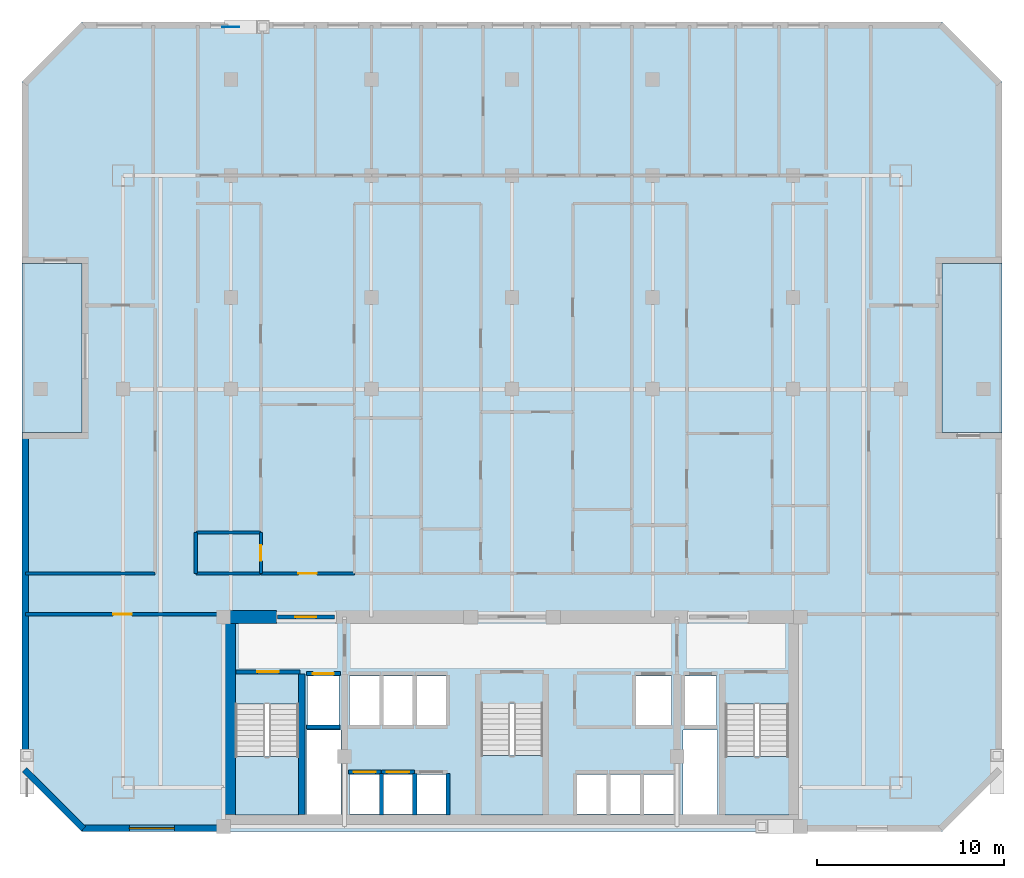
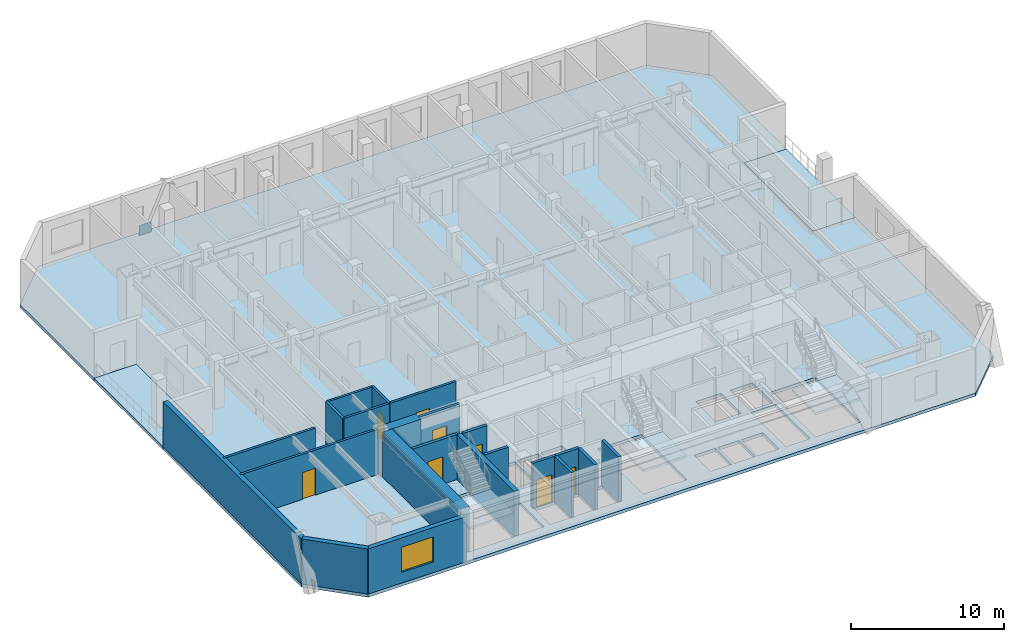
# One storey, part 2 of 10: 22 walls, 8 doors, 6 slabs, 1 plate, 1 window, 9 openings, 3 elements without a shape of their own.
"""IFC4 building model written with IfcOpenShell, lengths in metres."""

from ifc_helpers import new_model, si_unit, direction, frame, frame_2d, origin, origin_2d, place, context, subcontext, project, spatial, polyline, rectangle, outline, extrude, material, layer, layer_set, type_object, element, fill, aggregate, save


model = new_model("IFC4")

# Units and contexts
model_context = context("Model", 3, precision=1e-05, world=origin(), true_north=direction((0.0, 1.0)))
body_context = subcontext(model_context, "Body", "Model", "MODEL_VIEW")
ifc_project = project(units=[si_unit("LENGTHUNIT", "METRE"), si_unit("AREAUNIT", "SQUARE_METRE"), si_unit("VOLUMEUNIT", "CUBIC_METRE"), si_unit("PLANEANGLEUNIT", "RADIAN"), si_unit("MASSUNIT", "GRAM", prefix="KILO")], contexts=[model_context])

# Site, building, storey
site_placement = place(None, origin())
site = spatial("IfcSite", under=ifc_project, at=site_placement, CompositionType="ELEMENT")
building_placement = place(site_placement, origin())
building = spatial("IfcBuilding", under=site, at=building_placement, Name="Ventersveld Concourse Tower", CompositionType="ELEMENT")
storey_placement = place(building_placement, frame((0.0, 0.0, 123.39990234375)))
storey = spatial("IfcBuildingStorey", under=building, at=storey_placement, Name="L30", CompositionType="ELEMENT", Elevation=123.39990234375)

# Plate
ifc_material_1 = material(Name="Structural steel S355J2", Category="steel")
ifc_layer_1 = layer(ifc_material_1, 0.030029296875)
ifc_layer_set_1 = layer_set([ifc_layer_1], Name="Structural steel S355J2")
plate_type = type_object("IfcPlateType", Name="PL-CAP-30", PredefinedType="USERDEFINED", material=ifc_layer_set_1)
plate_placement = place(storey_placement, frame((13.75, 42.919921875, -0.099853515625), z_axis=(0.0, 0.0, 1.0), x_axis=(1.0, 0.0, 0.0)))
element("IfcPlate", 1, at=plate_placement, inside=storey, type_object=plate_type, Name="L30 Mega-Brace Gusset Node Plate M07-N", ObjectType="GUSSET_PLATE", PredefinedType="USERDEFINED", context=body_context, shape_type="SweptSolid", body=[
    extrude(rectangle(XDim=0.89990234375, YDim=0.030029296875, at=origin_2d()), origin(), (0.0, 0.0, 1.0), 0.89990234375),
])

# Slabs
ifc_material_2 = material(Name="Concrete C50/60", Category="concrete")
ifc_layer_2 = layer(ifc_material_2, 0.25)
ifc_layer_set_2 = layer_set([ifc_layer_2], Name="Concrete C50/60")
slab_type_1 = type_object("IfcSlabType", Name="SL-FLR-250", PredefinedType="FLOOR", material=ifc_layer_set_2)
slab_1_placement = place(storey_placement, frame((0.0, 0.0, -0.25)))
element("IfcSlab", 2, at=slab_1_placement, inside=storey, type_object=slab_type_1, Name="L30 Composite Floor Slab", PredefinedType="FLOOR", context=body_context, shape_type="SweptSolid", body=[
    extrude(outline(polyline([(5.800048828125, 0.0), (51.699951171875, 0.0), (54.89990234375, 3.199951171875), (54.89990234375, 21.300048828125), (51.699951171875, 21.300048828125), (51.699951171875, 30.300048828125), (54.89990234375, 30.300048828125), (54.89990234375, 40.0), (51.699951171875, 43.199951171875), (5.800048828125, 43.199951171875), (2.60009765625, 40.0), (2.60009765625, 30.300048828125), (5.800048828125, 30.300048828125), (5.800048828125, 21.300048828125), (2.60009765625, 21.300048828125), (2.60009765625, 3.199951171875), (5.800048828125, 0.0)]), holes=[polyline([(13.97998046875, 6.794921875), (13.97998046875, 0.89990234375), (17.3798828125, 0.89990234375), (17.3798828125, 6.794921875), (13.97998046875, 6.794921875)]), polyline([(40.1201171875, 6.794921875), (40.1201171875, 0.89990234375), (43.52001953125, 0.89990234375), (43.52001953125, 6.794921875), (40.1201171875, 6.794921875)]), polyline([(27.10009765625, 6.844970703125), (27.10009765625, 0.89990234375), (30.39990234375, 0.89990234375), (30.39990234375, 6.844970703125), (27.10009765625, 6.844970703125)]), polyline([(17.85009765625, 5.699951171875), (19.530029296875, 5.699951171875), (19.530029296875, 8.300048828125), (17.85009765625, 8.300048828125), (17.85009765625, 5.699951171875)]), polyline([(37.969970703125, 5.699951171875), (39.64990234375, 5.699951171875), (39.64990234375, 8.300048828125), (37.969970703125, 8.300048828125), (37.969970703125, 5.699951171875)]), polyline([(35.35009765625, 5.699951171875), (37.25, 5.699951171875), (37.25, 8.300048828125), (35.35009765625, 8.300048828125), (35.35009765625, 5.699951171875)]), polyline([(20.090087890625, 0.949951171875), (21.68994140625, 0.949951171875), (21.68994140625, 3.050048828125), (20.090087890625, 3.050048828125), (20.090087890625, 0.949951171875)]), polyline([(21.8701171875, 0.949951171875), (23.469970703125, 0.949951171875), (23.469970703125, 3.050048828125), (21.8701171875, 3.050048828125), (21.8701171875, 0.949951171875)]), polyline([(23.64990234375, 0.949951171875), (25.25, 0.949951171875), (25.25, 3.050048828125), (23.64990234375, 3.050048828125), (23.64990234375, 0.949951171875)]), polyline([(32.2099609375, 0.949951171875), (33.81005859375, 0.949951171875), (33.81005859375, 3.050048828125), (32.2099609375, 3.050048828125), (32.2099609375, 0.949951171875)]), polyline([(33.989990234375, 0.949951171875), (35.590087890625, 0.949951171875), (35.590087890625, 3.050048828125), (33.989990234375, 3.050048828125), (33.989990234375, 0.949951171875)]), polyline([(35.77001953125, 0.949951171875), (37.3701171875, 0.949951171875), (37.3701171875, 3.050048828125), (35.77001953125, 3.050048828125), (35.77001953125, 0.949951171875)]), polyline([(20.090087890625, 5.699951171875), (21.68994140625, 5.699951171875), (21.68994140625, 8.300048828125), (20.090087890625, 8.300048828125), (20.090087890625, 5.699951171875)]), polyline([(21.8701171875, 5.699951171875), (23.469970703125, 5.699951171875), (23.469970703125, 8.300048828125), (21.8701171875, 8.300048828125), (21.8701171875, 5.699951171875)]), polyline([(23.64990234375, 5.699951171875), (25.25, 5.699951171875), (25.25, 8.300048828125), (23.64990234375, 8.300048828125), (23.64990234375, 5.699951171875)]), polyline([(17.780029296875, 0.919921875), (19.6201171875, 0.919921875), (19.6201171875, 5.419921875), (17.780029296875, 5.419921875), (17.780029296875, 0.919921875)]), polyline([(37.8798828125, 0.919921875), (39.719970703125, 0.919921875), (39.719970703125, 5.419921875), (37.8798828125, 5.419921875), (37.8798828125, 0.919921875)])]), origin(), (0.0, 0.0, 1.0), 0.25),
])
slab_2_placement = place(storey_placement, frame((0.0, 0.0, -0.25)))
element("IfcSlab", 3, at=slab_2_placement, inside=storey, type_object=slab_type_1, Name="L30 Outdoor Terrace Slab NOTCH-W", PredefinedType="FLOOR", context=body_context, shape_type="SweptSolid", body=[
    extrude(outline(polyline([(2.60009765625, 21.300048828125), (5.800048828125, 21.300048828125), (5.800048828125, 30.300048828125), (2.60009765625, 30.300048828125), (2.60009765625, 21.300048828125)])), origin(), (0.0, 0.0, 1.0), 0.25),
])
slab_3_placement = place(storey_placement, frame((0.0, 0.0, -0.25)))
element("IfcSlab", 4, at=slab_3_placement, inside=storey, type_object=slab_type_1, Name="L30 Outdoor Terrace Slab NOTCH-E", PredefinedType="FLOOR", context=body_context, shape_type="SweptSolid", body=[
    extrude(outline(polyline([(51.699951171875, 21.300048828125), (54.89990234375, 21.300048828125), (54.89990234375, 30.300048828125), (51.699951171875, 30.300048828125), (51.699951171875, 21.300048828125)])), origin(), (0.0, 0.0, 1.0), 0.25),
])

# Stair, slab
stair_type_1 = type_object("IfcStairType", Name="ST-DOG-160", PredefinedType="HALF_TURN_STAIR", material=ifc_material_2)
stair_1_placement = place(storey_placement, origin())
stair_1 = element("IfcStair", 5, at=stair_1_placement, inside=storey, type_object=stair_type_1, Name="L30 Protected Tower Escape Stair ST-01", PredefinedType="HALF_TURN_STAIR")
ifc_layer_3 = layer(ifc_material_2, 0.199951171875)
ifc_layer_set_3 = layer_set([ifc_layer_3], Name="Concrete C50/60")
slab_type_2 = type_object("IfcSlabType", Name="SL-LND-200", PredefinedType="LANDING", material=ifc_layer_set_3)
slab_4_placement = place(storey_placement, frame((0.0, 0.0, 1.72509765625)))
slab_4 = element("IfcSlab", 6, at=slab_4_placement, type_object=slab_type_2, Name="ST-01 landing 1", PredefinedType="LANDING", context=body_context, shape_type="SweptSolid", body=[
    extrude(outline(polyline([(13.97998046875, 4.0), (13.97998046875, 0.89990234375), (17.3798828125, 0.89990234375), (17.3798828125, 4.0), (13.97998046875, 4.0)])), origin(), (0.0, 0.0, 1.0), 0.199951171875),
])
aggregate(stair_1, [slab_4])

stair_2_placement = place(storey_placement, origin())
stair_2 = element("IfcStair", 7, at=stair_2_placement, inside=storey, type_object=stair_type_1, Name="L30 Protected Tower Escape Stair ST-02", PredefinedType="HALF_TURN_STAIR")
slab_5_placement = place(storey_placement, frame((0.0, 0.0, 1.72509765625)))
slab_5 = element("IfcSlab", 8, at=slab_5_placement, type_object=slab_type_2, Name="ST-02 landing 1", PredefinedType="LANDING", context=body_context, shape_type="SweptSolid", body=[
    extrude(outline(polyline([(40.1201171875, 4.0), (40.1201171875, 0.89990234375), (43.52001953125, 0.89990234375), (43.52001953125, 4.0), (40.1201171875, 4.0)])), origin(), (0.0, 0.0, 1.0), 0.199951171875),
])
aggregate(stair_2, [slab_5])

stair_type_2 = type_object("IfcStairType", Name="ST-DOG-155", PredefinedType="HALF_TURN_STAIR", material=ifc_material_2)
stair_3_placement = place(storey_placement, origin())
stair_3 = element("IfcStair", 9, at=stair_3_placement, inside=storey, type_object=stair_type_2, Name="L30 Protected Central Core Escape Stair ST-03", PredefinedType="HALF_TURN_STAIR")
slab_6_placement = place(storey_placement, frame((0.0, 0.0, 1.72509765625)))
slab_6 = element("IfcSlab", 10, at=slab_6_placement, type_object=slab_type_2, Name="ST-03 landing 1", PredefinedType="LANDING", context=body_context, shape_type="SweptSolid", body=[
    extrude(outline(polyline([(27.10009765625, 4.050048828125), (27.10009765625, 0.89990234375), (30.39990234375, 0.89990234375), (30.39990234375, 4.050048828125), (27.10009765625, 4.050048828125)])), origin(), (0.0, 0.0, 1.0), 0.199951171875),
])
aggregate(stair_3, [slab_6])

# Walls
ifc_material_3 = material(Name="Concrete C60/75", Category="concrete")
ifc_layer_4 = layer(ifc_material_3, 0.35009765625)
ifc_layer_set_4 = layer_set([ifc_layer_4], Name="Concrete C60/75")
wall_type_1 = type_object("IfcWallType", Name="WL-CORE-350L", PredefinedType="SHEAR", material=ifc_layer_set_4)
wall_1_placement = place(storey_placement, frame((17.5400390625, 0.919921875, 0.0), z_axis=(0.0, 0.0, 1.0), x_axis=(0.0, 1.0, 0.0)))
element("IfcWall", 11, at=wall_1_placement, inside=storey, type_object=wall_type_1, Name="L30 Core Internal Shear Web W-ST1-E", PredefinedType="SHEAR", context=body_context, shape_type="SweptSolid", body=[
    extrude(rectangle(XDim=7.5, YDim=0.35009765625, at=frame_2d((3.75, 0.0))), origin(), (0.0, 0.0, 1.0), 3.60009765625),
])
ifc_layer_5 = layer(ifc_material_3, 0.699951171875)
ifc_layer_set_5 = layer_set([ifc_layer_5], Name="Concrete C60/75")
wall_type_2 = type_object("IfcWallType", Name="WL-CORE-700", PredefinedType="SHEAR", material=ifc_layer_set_5)
wall_2_placement = place(storey_placement, frame((13.64990234375, 0.919921875, 0.0), z_axis=(0.0, 0.0, 1.0), x_axis=(0.0, 1.0, 0.0)))
element("IfcWall", 12, at=wall_2_placement, inside=storey, type_object=wall_type_2, Name="L30 Rear Core West Shear Wall", PredefinedType="SHEAR", context=body_context, shape_type="SweptSolid", body=[
    extrude(rectangle(XDim=10.530029296875, YDim=0.699951171875, at=frame_2d((5.26513671875, 0.0))), origin(), (0.0, 0.0, 1.0), 3.60009765625),
])
wall_3_placement = place(storey_placement, frame((13.25, 11.449951171875, 0.0), z_axis=(0.0, 0.0, 1.0), x_axis=(1.0, 0.0, 0.0)))
element("IfcWall", 13, at=wall_3_placement, inside=storey, type_object=wall_type_2, Name="L30 Rear Core North Shear Wall NW", PredefinedType="SHEAR", context=body_context, shape_type="SweptSolid", body=[
    extrude(rectangle(XDim=2.949951171875, YDim=0.699951171875, at=frame_2d((1.47509765625, 0.0))), origin(), (0.0, 0.0, 1.0), 3.60009765625),
])

# Wall, opening, door
ifc_material_4 = material(Name="Fire-rated autoclaved aerated masonry blockwork", Category="masonry")
ifc_layer_6 = layer(ifc_material_4, 0.179931640625)
ifc_layer_set_6 = layer_set([ifc_layer_6], Name="Fire-rated autoclaved aerated masonry blockwork")
wall_type_3 = type_object("IfcWallType", Name="WL-CORR-180", PredefinedType="PARTITIONING", material=ifc_layer_set_6)
wall_4_placement = place(storey_placement, frame((2.81005859375, 11.60009765625, 0.0), z_axis=(0.0, 0.0, 1.0), x_axis=(1.0, 0.0, 0.0)))
wall_4 = element("IfcWall", 14, at=wall_4_placement, inside=storey, type_object=wall_type_3, Name="L30 Interior Partition SP-L30-SW-GAL-SP-L30-COR", PredefinedType="PARTITIONING", context=body_context, shape_type="SweptSolid", body=[
    extrude(rectangle(XDim=10.3349609375, YDim=0.179931640625, at=frame_2d((5.16748046875, 0.0))), origin(), (0.0, 0.0, 1.0), 3.60009765625),
])
opening_1_placement = place(wall_4_placement, frame((4.66748046875, 0.0, 0.0)))
opening_1 = element("IfcOpeningElement", 15, at=opening_1_placement, cuts=wall_4, Name="Opening FD3", PredefinedType="OPENING", context=body_context, shape_type="SweptSolid", body=[
    extrude(rectangle(XDim=1.0, YDim=2.14990234375, at=frame_2d((0.5, 1.074951171875))), frame((0.0, 0.10009765625, 0.0), z_axis=(0.0, -1.0, 0.0), x_axis=(1.0, 0.0, 0.0)), (0.0, 0.0, 1.0), 0.199951171875),
])
ifc_material_5 = material(Name="Solid-core hardwood veneer timber", Category="wood")
door_type_1 = type_object("IfcDoorType", Name="DR-FLAT-100", OperationType="NOTDEFINED", PredefinedType="DOOR", material=ifc_material_5)
door_1_placement = place(opening_1_placement, origin())
door_1 = element("IfcDoor", 16, at=door_1_placement, inside=storey, type_object=door_type_1, Name="L30 Interior Door SP-L30-SW-GAL to SP-L30-COR (D-L30-1491)", OperationType="SINGLE_SWING_LEFT", OverallHeight=2.14990234375, OverallWidth=1.0, PredefinedType="DOOR", context=body_context, shape_type="SweptSolid", body=[
    extrude(rectangle(XDim=1.0, YDim=2.14990234375, at=frame_2d((0.5, 1.074951171875))), frame((0.0, 0.02490234375, 0.0), z_axis=(0.0, -1.0, 0.0), x_axis=(1.0, 0.0, 0.0)), (0.0, 0.0, 1.0), 0.050048828125),
])
fill(opening_1, door_1)

# Wall
wall_5_placement = place(storey_placement, frame((2.81005859375, 13.77001953125, 0.0), z_axis=(0.0, 0.0, 1.0), x_axis=(1.0, 0.0, 0.0)))
element("IfcWall", 17, at=wall_5_placement, inside=storey, type_object=wall_type_3, Name="L30 Interior Partition SP-L30-COR-SP-L30-NWLNG1", PredefinedType="PARTITIONING", context=body_context, shape_type="SweptSolid", body=[
    extrude(rectangle(XDim=6.905029296875, YDim=0.179931640625, at=frame_2d((3.45263671875, 0.0))), origin(), (0.0, 0.0, 1.0), 3.60009765625),
])

# Wall, opening, door
wall_6_placement = place(storey_placement, frame((15.352783203125, 13.77001953125, 0.0), z_axis=(0.0, 0.0, 1.0), x_axis=(1.0, 0.0, 0.0)))
wall_6 = element("IfcWall", 18, at=wall_6_placement, inside=storey, type_object=wall_type_3, Name="L30 Interior Partition SP-L30-COR-SP-L30-30N1-FOY", PredefinedType="PARTITIONING", context=body_context, shape_type="SweptSolid", body=[
    extrude(rectangle(XDim=4.990234375, YDim=0.179931640625, at=frame_2d((2.4951171875, 0.0))), origin(), (0.0, 0.0, 1.0), 3.60009765625),
])
opening_2_placement = place(wall_6_placement, frame((1.9951171875, 0.0, 0.0)))
opening_2 = element("IfcOpeningElement", 19, at=opening_2_placement, cuts=wall_6, Name="Opening FD3", PredefinedType="OPENING", context=body_context, shape_type="SweptSolid", body=[
    extrude(rectangle(XDim=1.0, YDim=2.14990234375, at=frame_2d((0.5, 1.074951171875))), frame((0.0, 0.10009765625, 0.0), z_axis=(0.0, -1.0, 0.0), x_axis=(1.0, 0.0, 0.0)), (0.0, 0.0, 1.0), 0.199951171875),
])
door_2_placement = place(opening_2_placement, origin())
door_2 = element("IfcDoor", 20, at=door_2_placement, inside=storey, type_object=door_type_1, Name="L30 Interior Door SP-L30-COR to SP-L30-30N1-FOY (FD-L30-1495)", OperationType="SINGLE_SWING_LEFT", OverallHeight=2.14990234375, OverallWidth=1.0, PredefinedType="DOOR", context=body_context, shape_type="SweptSolid", body=[
    extrude(rectangle(XDim=1.0, YDim=2.14990234375, at=frame_2d((0.5, 1.074951171875))), frame((0.0, 0.02490234375, 0.0), z_axis=(0.0, -1.0, 0.0), x_axis=(1.0, 0.0, 0.0)), (0.0, 0.0, 1.0), 0.050048828125),
])
fill(opening_2, door_2)

# Walls
wall_7_placement = place(storey_placement, frame((11.885009765625, 13.77001953125, 0.0), z_axis=(0.0, 0.0, 1.0), x_axis=(1.0, 0.0, 0.0)))
element("IfcWall", 21, at=wall_7_placement, inside=storey, type_object=wall_type_3, Name="L30 Interior Partition SP-L30-COR-SP-L30-30N1-BATH", PredefinedType="PARTITIONING", context=body_context, shape_type="SweptSolid", body=[
    extrude(rectangle(XDim=3.43798828125, YDim=0.179931640625, at=frame_2d((1.718994140625, 0.0))), origin(), (0.0, 0.0, 1.0), 3.60009765625),
])
wall_8_placement = place(storey_placement, frame((11.889892578125, 13.764892578125, 0.0), z_axis=(0.0, 0.0, 1.0), x_axis=(0.0, 1.0, 0.0)))
element("IfcWall", 22, at=wall_8_placement, inside=storey, type_object=wall_type_3, Name="L30 Interior Partition SP-L30-COR-SP-L30-30N1-BATH", PredefinedType="PARTITIONING", context=body_context, shape_type="SweptSolid", body=[
    extrude(rectangle(XDim=2.197509765625, YDim=0.179931640625, at=frame_2d((1.0986328125, 0.0))), origin(), (0.0, 0.0, 1.0), 3.60009765625),
])
ifc_layer_7 = layer(ifc_material_4, 0.219970703125)
ifc_layer_set_7 = layer_set([ifc_layer_7], Name="Fire-rated autoclaved aerated masonry blockwork")
wall_type_4 = type_object("IfcWallType", Name="WL-HOIST-220", PredefinedType="SOLIDWALL", material=ifc_layer_set_7)
wall_9_placement = place(storey_placement, frame((17.800048828125, 5.590087890625, 0.0), z_axis=(0.0, 0.0, 1.0), x_axis=(1.0, 0.0, 0.0)))
element("IfcWall", 23, at=wall_9_placement, inside=storey, type_object=wall_type_4, Name="L30 Lift Hoistway Back Wall FFL-01", PredefinedType="SOLIDWALL", context=body_context, shape_type="SweptSolid", body=[
    extrude(rectangle(XDim=1.780029296875, YDim=0.219970703125, at=frame_2d((0.89013671875, 0.0))), origin(), (0.0, 0.0, 1.0), 3.60009765625),
])

# Wall, opening, door
wall_10_placement = place(storey_placement, frame((17.780029296875, 8.429931640625, 0.0), z_axis=(0.0, 0.0, 1.0), x_axis=(1.0, 0.0, 0.0)))
wall_10 = element("IfcWall", 24, at=wall_10_placement, inside=storey, type_object=wall_type_4, Name="L30 Lift Hoistway Front Wall FFL-01", PredefinedType="SOLIDWALL", context=body_context, shape_type="SweptSolid", body=[
    extrude(rectangle(XDim=1.820068359375, YDim=0.219970703125, at=frame_2d((0.91015625, 0.0))), origin(), (0.0, 0.0, 1.0), 3.60009765625),
])
opening_3_placement = place(wall_10_placement, frame((0.35009765625, 0.0, 0.0)))
opening_3 = element("IfcOpeningElement", 25, at=opening_3_placement, cuts=wall_10, Name="Opening LD1", PredefinedType="OPENING", context=body_context, shape_type="SweptSolid", body=[
    extrude(rectangle(XDim=1.1201171875, YDim=2.25, at=frame_2d((0.56005859375, 1.125))), frame((0.0, 0.1201171875, 0.0), z_axis=(0.0, -1.0, 0.0), x_axis=(1.0, 0.0, 0.0)), (0.0, 0.0, 1.0), 0.239990234375),
])
ifc_material_6 = material(Name="Brushed stainless steel 316", Category="steel")
door_type_2 = type_object("IfcDoorType", Name="LD-FF-112", OperationType="SLIDING_TO_LEFT", PredefinedType="DOOR", material=ifc_material_6)
door_3_placement = place(opening_3_placement, origin())
door_3 = element("IfcDoor", 26, at=door_3_placement, inside=storey, type_object=door_type_2, Name="L30 Lift landing door FFL-01 (LD-L30-FFL-01)", OperationType="SLIDING_TO_LEFT", OverallHeight=2.25, OverallWidth=1.1201171875, PredefinedType="DOOR", context=body_context, shape_type="SweptSolid", body=[
    extrude(rectangle(XDim=1.1201171875, YDim=2.25, at=frame_2d((0.56005859375, 1.125))), frame((0.0, 0.02490234375, 0.0), z_axis=(0.0, -1.0, 0.0), x_axis=(1.0, 0.0, 0.0)), (0.0, 0.0, 1.0), 0.050048828125),
])
fill(opening_3, door_3)

# Wall
wall_11_placement = place(storey_placement, frame((21.780029296875, 0.89990234375, 0.0), z_axis=(0.0, 0.0, 1.0), x_axis=(0.0, 1.0, 0.0)))
element("IfcWall", 27, at=wall_11_placement, inside=storey, type_object=wall_type_4, Name="L30 Lift Hoistway Side Wall PL-01E", PredefinedType="SOLIDWALL", context=body_context, shape_type="SweptSolid", body=[
    extrude(rectangle(XDim=2.2001953125, YDim=0.219970703125, at=frame_2d((1.10009765625, 0.0))), origin(), (0.0, 0.0, 1.0), 3.60009765625),
])

# Wall, opening, door
wall_12_placement = place(storey_placement, frame((20.02001953125, 3.179931640625, 0.0), z_axis=(0.0, 0.0, 1.0), x_axis=(1.0, 0.0, 0.0)))
wall_12 = element("IfcWall", 28, at=wall_12_placement, inside=storey, type_object=wall_type_4, Name="L30 Lift Hoistway Front Wall PL-01", PredefinedType="SOLIDWALL", context=body_context, shape_type="SweptSolid", body=[
    extrude(rectangle(XDim=1.739990234375, YDim=0.219970703125, at=frame_2d((0.8701171875, 0.0))), origin(), (0.0, 0.0, 1.0), 3.60009765625),
])
opening_4_placement = place(wall_12_placement, frame((0.280029296875, 0.0, 0.0)))
opening_4 = element("IfcOpeningElement", 29, at=opening_4_placement, cuts=wall_12, Name="Opening LD2", PredefinedType="OPENING", context=body_context, shape_type="SweptSolid", body=[
    extrude(rectangle(XDim=1.179931640625, YDim=2.199951171875, at=frame_2d((0.58984375, 1.10009765625))), frame((0.0, 0.1201171875, 0.0), z_axis=(0.0, -1.0, 0.0), x_axis=(1.0, 0.0, 0.0)), (0.0, 0.0, 1.0), 0.239990234375),
])
door_type_3 = type_object("IfcDoorType", Name="LD-PAX-118", OperationType="SLIDING_TO_LEFT", PredefinedType="DOOR", material=ifc_material_6)
door_4_placement = place(opening_4_placement, origin())
door_4 = element("IfcDoor", 30, at=door_4_placement, inside=storey, type_object=door_type_3, Name="L30 Lift landing door PL-01 (LD-L30-PL-01)", OperationType="SLIDING_TO_RIGHT", OverallHeight=2.199951171875, OverallWidth=1.179931640625, PredefinedType="DOOR", context=body_context, shape_type="SweptSolid", body=[
    extrude(rectangle(XDim=1.179931640625, YDim=2.199951171875, at=frame_2d((0.58984375, 1.10009765625))), frame((0.0, 0.02490234375, 0.0), z_axis=(0.0, -1.0, 0.0), x_axis=(1.0, 0.0, 0.0)), (0.0, 0.0, 1.0), 0.050048828125),
])
fill(opening_4, door_4)

# Wall
wall_13_placement = place(storey_placement, frame((23.56005859375, 0.89990234375, 0.0), z_axis=(0.0, 0.0, 1.0), x_axis=(0.0, 1.0, 0.0)))
element("IfcWall", 31, at=wall_13_placement, inside=storey, type_object=wall_type_4, Name="L30 Lift Hoistway Side Wall PL-02E", PredefinedType="SOLIDWALL", context=body_context, shape_type="SweptSolid", body=[
    extrude(rectangle(XDim=2.2001953125, YDim=0.219970703125, at=frame_2d((1.10009765625, 0.0))), origin(), (0.0, 0.0, 1.0), 3.60009765625),
])

# Wall, opening, door
wall_14_placement = place(storey_placement, frame((21.800048828125, 3.179931640625, 0.0), z_axis=(0.0, 0.0, 1.0), x_axis=(1.0, 0.0, 0.0)))
wall_14 = element("IfcWall", 32, at=wall_14_placement, inside=storey, type_object=wall_type_4, Name="L30 Lift Hoistway Front Wall PL-02", PredefinedType="SOLIDWALL", context=body_context, shape_type="SweptSolid", body=[
    extrude(rectangle(XDim=1.739990234375, YDim=0.219970703125, at=frame_2d((0.8701171875, 0.0))), origin(), (0.0, 0.0, 1.0), 3.60009765625),
])
opening_5_placement = place(wall_14_placement, frame((0.280029296875, 0.0, 0.0)))
opening_5 = element("IfcOpeningElement", 33, at=opening_5_placement, cuts=wall_14, Name="Opening LD2", PredefinedType="OPENING", context=body_context, shape_type="SweptSolid", body=[
    extrude(rectangle(XDim=1.179931640625, YDim=2.199951171875, at=frame_2d((0.58984375, 1.10009765625))), frame((0.0, 0.1201171875, 0.0), z_axis=(0.0, -1.0, 0.0), x_axis=(1.0, 0.0, 0.0)), (0.0, 0.0, 1.0), 0.239990234375),
])
door_5_placement = place(opening_5_placement, origin())
door_5 = element("IfcDoor", 34, at=door_5_placement, inside=storey, type_object=door_type_3, Name="L30 Lift landing door PL-02 (LD-L30-PL-02)", OperationType="SLIDING_TO_LEFT", OverallHeight=2.199951171875, OverallWidth=1.179931640625, PredefinedType="DOOR", context=body_context, shape_type="SweptSolid", body=[
    extrude(rectangle(XDim=1.179931640625, YDim=2.199951171875, at=frame_2d((0.58984375, 1.10009765625))), frame((0.0, 0.02490234375, 0.0), z_axis=(0.0, -1.0, 0.0), x_axis=(1.0, 0.0, 0.0)), (0.0, 0.0, 1.0), 0.050048828125),
])
fill(opening_5, door_5)

# Wall
wall_15_placement = place(storey_placement, frame((25.340087890625, 0.89990234375, 0.0), z_axis=(0.0, 0.0, 1.0), x_axis=(0.0, 1.0, 0.0)))
element("IfcWall", 35, at=wall_15_placement, inside=storey, type_object=wall_type_4, Name="L30 Lift Hoistway Side Wall PL-03E", PredefinedType="SOLIDWALL", context=body_context, shape_type="SweptSolid", body=[
    extrude(rectangle(XDim=2.2001953125, YDim=0.219970703125, at=frame_2d((1.10009765625, 0.0))), origin(), (0.0, 0.0, 1.0), 3.60009765625),
])

# Wall, opening, door
wall_16_placement = place(storey_placement, frame((14.0400390625, 8.52001953125, 0.0), z_axis=(0.0, 0.0, 1.0), x_axis=(1.0, 0.0, 0.0)))
wall_16 = element("IfcWall", 36, at=wall_16_placement, inside=storey, type_object=wall_type_4, Name="L30 Escape Stair ST01 Fire Wall", PredefinedType="SOLIDWALL", context=body_context, shape_type="SweptSolid", body=[
    extrude(rectangle(XDim=3.39990234375, YDim=0.219970703125, at=frame_2d((1.699951171875, 0.0))), origin(), (0.0, 0.0, 1.0), 3.60009765625),
])
opening_6_placement = place(wall_16_placement, frame((1.125, 0.0, 0.0)))
opening_6 = element("IfcOpeningElement", 37, at=opening_6_placement, cuts=wall_16, Name="Opening FD1", PredefinedType="OPENING", context=body_context, shape_type="SweptSolid", body=[
    extrude(rectangle(XDim=1.14990234375, YDim=2.199951171875, at=frame_2d((0.574951171875, 1.10009765625))), frame((0.0, 0.1201171875, 0.0), z_axis=(0.0, -1.0, 0.0), x_axis=(1.0, 0.0, 0.0)), (0.0, 0.0, 1.0), 0.239990234375),
])
ifc_material_7 = material(Name="Galvanised painted steel", Category="steel")
door_type_4 = type_object("IfcDoorType", Name="DR-STAIR-115", OperationType="NOTDEFINED", PredefinedType="DOOR", material=ifc_material_7)
door_6_placement = place(opening_6_placement, origin())
door_6 = element("IfcDoor", 38, at=door_6_placement, inside=storey, type_object=door_type_4, Name="L30 Escape Stair Door ST01 (SD-L30-1482)", OperationType="SINGLE_SWING_LEFT", OverallHeight=2.199951171875, OverallWidth=1.14990234375, PredefinedType="DOOR", context=body_context, shape_type="SweptSolid", body=[
    extrude(rectangle(XDim=1.14990234375, YDim=2.199951171875, at=frame_2d((0.574951171875, 1.10009765625))), frame((0.0, 0.02490234375, 0.0), z_axis=(0.0, -1.0, 0.0), x_axis=(1.0, 0.0, 0.0)), (0.0, 0.0, 1.0), 0.050048828125),
])
fill(opening_6, door_6)

wall_17_placement = place(storey_placement, frame((16.22998046875, 11.449951171875, 0.0), z_axis=(0.0, 0.0, 1.0), x_axis=(1.0, 0.0, 0.0)))
wall_17 = element("IfcWall", 39, at=wall_17_placement, inside=storey, type_object=wall_type_4, Name="L30 Core North Fire Portal FFLW-OUT", PredefinedType="SOLIDWALL", context=body_context, shape_type="SweptSolid", body=[
    extrude(rectangle(XDim=3.0400390625, YDim=0.219970703125, at=frame_2d((1.52001953125, 0.0))), origin(), (0.0, 0.0, 1.0), 3.60009765625),
])
opening_7_placement = place(wall_17_placement, frame((0.969970703125, 0.0, 0.0)))
opening_7 = element("IfcOpeningElement", 40, at=opening_7_placement, cuts=wall_17, Name="Opening FD2", PredefinedType="OPENING", context=body_context, shape_type="SweptSolid", body=[
    extrude(rectangle(XDim=1.10009765625, YDim=2.199951171875, at=frame_2d((0.550048828125, 1.10009765625))), frame((0.0, 0.1201171875, 0.0), z_axis=(0.0, -1.0, 0.0), x_axis=(1.0, 0.0, 0.0)), (0.0, 0.0, 1.0), 0.239990234375),
])
door_type_5 = type_object("IfcDoorType", Name="DR-FFL-110", OperationType="NOTDEFINED", PredefinedType="DOOR", material=ifc_material_7)
door_7_placement = place(opening_7_placement, origin())
door_7 = element("IfcDoor", 41, at=door_7_placement, inside=storey, type_object=door_type_5, Name="L30 Core Lobby Fire Door FFLW-OUT (FD-L30-1487)", OperationType="SINGLE_SWING_RIGHT", OverallHeight=2.199951171875, OverallWidth=1.10009765625, PredefinedType="DOOR", context=body_context, shape_type="SweptSolid", body=[
    extrude(rectangle(XDim=1.10009765625, YDim=2.199951171875, at=frame_2d((0.550048828125, 1.10009765625))), frame((0.0, 0.02490234375, 0.0), z_axis=(0.0, -1.0, 0.0), x_axis=(1.0, 0.0, 0.0)), (0.0, 0.0, 1.0), 0.050048828125),
])
fill(opening_7, door_7)

# Wall, opening, window
ifc_material_8 = material(Name="Precast concrete C45/55", Category="concrete")
ifc_layer_8 = layer(ifc_material_8, 0.35009765625)
ifc_layer_set_8 = layer_set([ifc_layer_8], Name="Precast concrete C45/55")
wall_type_5 = type_object("IfcWallType", Name="WL-PREC-350", PredefinedType="SOLIDWALL", material=ifc_layer_set_8)
wall_18_placement = place(storey_placement, frame((5.840087890625, 0.179931640625, 0.0), z_axis=(0.0, 0.0, 1.0), x_axis=(1.0, 0.0, 0.0)))
wall_18 = element("IfcWall", 42, at=wall_18_placement, inside=storey, type_object=wall_type_5, Name="L30 South-West Flank Precast Wall", PredefinedType="SOLIDWALL", context=body_context, shape_type="SweptSolid", body=[
    extrude(rectangle(XDim=7.409912109375, YDim=0.35009765625, at=frame_2d((3.705078125, 0.0))), origin(), (0.0, 0.0, 1.0), 3.60009765625),
])
opening_8_placement = place(wall_18_placement, frame((2.5048828125, 0.0, 0.85009765625)))
opening_8 = element("IfcOpeningElement", 43, at=opening_8_placement, cuts=wall_18, Name="Opening W5", PredefinedType="OPENING", context=body_context, shape_type="SweptSolid", body=[
    extrude(rectangle(XDim=2.39990234375, YDim=2.0, at=frame_2d((1.199951171875, 1.0))), frame((0.0, 0.18505859375, 0.0), z_axis=(0.0, -1.0, 0.0), x_axis=(1.0, 0.0, 0.0)), (0.0, 0.0, 1.0), 0.3701171875),
])
ifc_material_9 = material(Name="Tempered acoustic Low-E IGU", Category="glass")
window_type = type_object("IfcWindowType", Name="WIN-240x210", PartitioningType="SINGLE_PANEL", PredefinedType="WINDOW", material=ifc_material_9)
window_placement = place(opening_8_placement, origin())
window = element("IfcWindow", 44, at=window_placement, inside=storey, type_object=window_type, Name="L30 Punched Low-E Window W-0377", OverallHeight=2.0, OverallWidth=2.39990234375, PartitioningType="SINGLE_PANEL", PredefinedType="WINDOW", context=body_context, shape_type="SweptSolid", body=[
    extrude(rectangle(XDim=2.39990234375, YDim=2.0, at=frame_2d((1.199951171875, 1.0))), frame((0.0, 0.030029296875, 0.0), z_axis=(0.0, -1.0, 0.0), x_axis=(1.0, 0.0, 0.0)), (0.0, 0.0, 1.0), 0.06005859375),
])
fill(opening_8, window)

# Walls
wall_19_placement = place(storey_placement, frame((2.77490234375, 21.260009765625, 0.0), z_axis=(0.0, 0.0, 1.0), x_axis=(0.0, -1.0, 0.0)))
element("IfcWall", 45, at=wall_19_placement, inside=storey, type_object=wall_type_5, Name="L30 Highveld Precast Facade Wall E15", PredefinedType="SOLIDWALL", context=body_context, shape_type="SweptSolid", body=[
    extrude(rectangle(XDim=18.02001953125, YDim=0.35009765625, at=frame_2d((9.010009765625, 0.0))), origin(), (0.0, 0.0, 1.0), 3.60009765625),
])
wall_20_placement = place(storey_placement, frame((2.751953125, 3.29541015625, 0.0), z_axis=(0.0, 0.0, 1.0), x_axis=(0.707134240044, -0.707079321262, 0.0)))
element("IfcWall", 46, at=wall_20_placement, inside=storey, type_object=wall_type_5, Name="L30 Highveld Precast Facade Wall E16", PredefinedType="SOLIDWALL", context=body_context, shape_type="SweptSolid", body=[
    extrude(rectangle(XDim=4.445556640625, YDim=0.35009765625, at=frame_2d((2.22265625, 0.0))), origin(), (0.0, 0.0, 1.0), 3.60009765625),
])

# Wall, opening, door
ifc_material_10 = material(Name="Autoclaved aerated masonry blockwork", Category="masonry")
ifc_layer_9 = layer(ifc_material_10, 0.1650390625)
ifc_layer_set_9 = layer_set([ifc_layer_9], Name="Autoclaved aerated masonry blockwork")
wall_type_6 = type_object("IfcWallType", Name="WL-WET-165", PredefinedType="PLUMBINGWALL", material=ifc_layer_set_9)
wall_21_placement = place(storey_placement, frame((15.35791015625, 13.764892578125, 0.0), z_axis=(0.0, 0.0, 1.0), x_axis=(0.0, 1.0, 0.0)))
wall_21 = element("IfcWall", 47, at=wall_21_placement, inside=storey, type_object=wall_type_6, Name="L30 Interior Partition SP-L30-30N1-FOY-SP-L30-30N1-BATH", PredefinedType="PLUMBINGWALL", context=body_context, shape_type="SweptSolid", body=[
    extrude(rectangle(XDim=2.197509765625, YDim=0.1650390625, at=frame_2d((1.0986328125, 0.0))), origin(), (0.0, 0.0, 1.0), 3.60009765625),
])
opening_9_placement = place(wall_21_placement, frame((0.673583984375, 0.0, 0.0)))
opening_9 = element("IfcOpeningElement", 48, at=opening_9_placement, cuts=wall_21, Name="Opening ID2", PredefinedType="OPENING", context=body_context, shape_type="SweptSolid", body=[
    extrude(rectangle(XDim=0.85009765625, YDim=2.10009765625, at=frame_2d((0.425048828125, 1.050048828125))), frame((0.0, 0.092529296875, 0.0), z_axis=(0.0, -1.0, 0.0), x_axis=(1.0, 0.0, 0.0)), (0.0, 0.0, 1.0), 0.18505859375),
])
door_type_6 = type_object("IfcDoorType", Name="DR-BATH-085", OperationType="NOTDEFINED", PredefinedType="DOOR", material=ifc_material_5)
door_8_placement = place(opening_9_placement, origin())
door_8 = element("IfcDoor", 49, at=door_8_placement, inside=storey, type_object=door_type_6, Name="L30 Interior Door SP-L30-30N1-FOY to SP-L30-30N1-BATH (D-L30-1501)", OperationType="SINGLE_SWING_LEFT", OverallHeight=2.10009765625, OverallWidth=0.85009765625, PredefinedType="DOOR", context=body_context, shape_type="SweptSolid", body=[
    extrude(rectangle(XDim=0.85009765625, YDim=2.10009765625, at=frame_2d((0.425048828125, 1.050048828125))), frame((0.0, 0.02490234375, 0.0), z_axis=(0.0, -1.0, 0.0), x_axis=(1.0, 0.0, 0.0)), (0.0, 0.0, 1.0), 0.050048828125),
])
fill(opening_9, door_8)

# Wall
wall_22_placement = place(storey_placement, frame((11.885009765625, 15.95751953125, 0.0), z_axis=(0.0, 0.0, 1.0), x_axis=(1.0, 0.0, 0.0)))
element("IfcWall", 50, at=wall_22_placement, inside=storey, type_object=wall_type_6, Name="L30 Interior Partition SP-L30-30N1-BATH-SP-L30-30N1-OFFL0", PredefinedType="PLUMBINGWALL", context=body_context, shape_type="SweptSolid", body=[
    extrude(rectangle(XDim=3.477783203125, YDim=0.1650390625, at=frame_2d((1.73876953125, 0.0))), origin(), (0.0, 0.0, 1.0), 3.60009765625),
])

save(model, "model.ifc")
